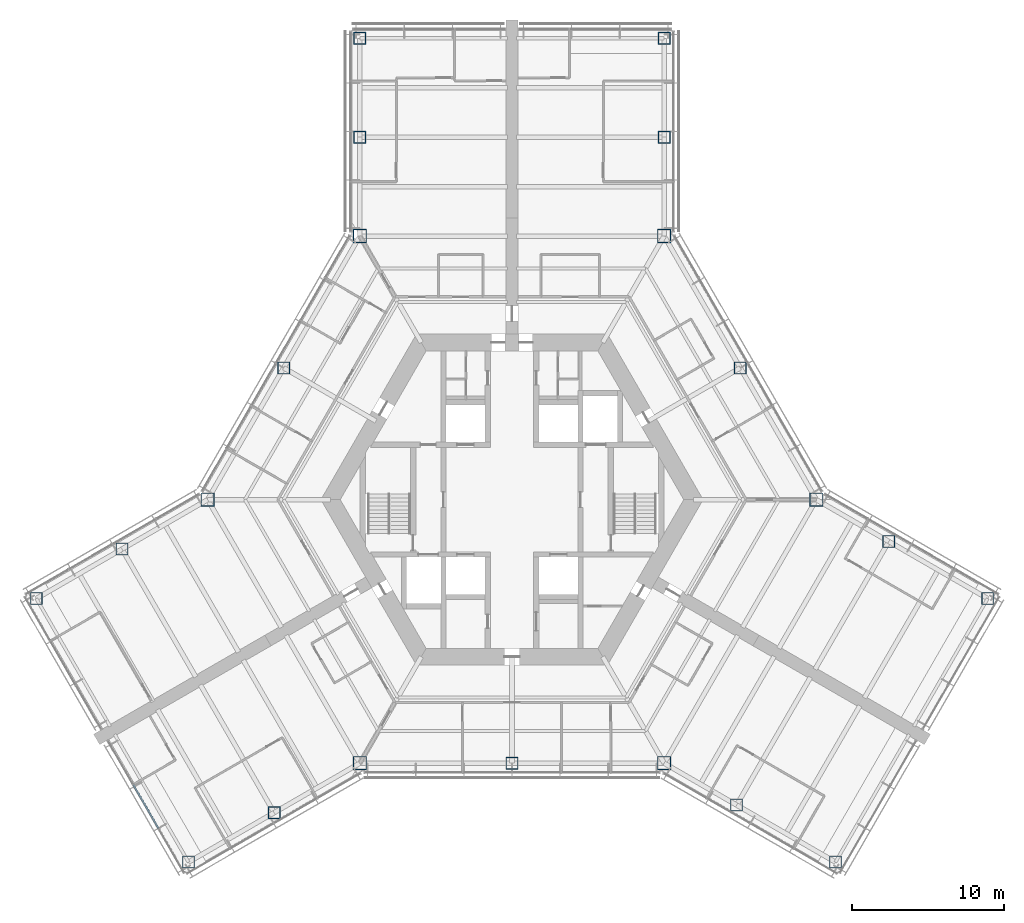
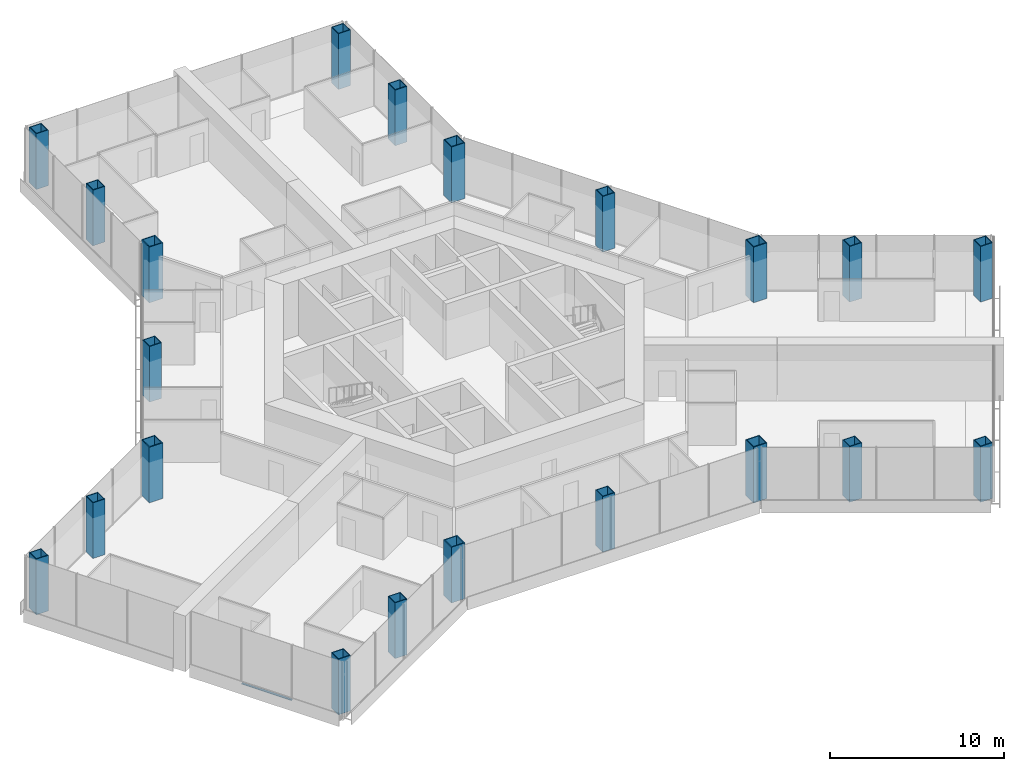
# One storey, part 1 of 19: 21 columns, 1 member, 1 element without a shape of its own.
"""IFC4 building model written with IfcOpenShell, lengths in metres."""

from ifc_helpers import new_model, si_unit, direction, frame, origin, origin_2d, place, context, subcontext, project, spatial, rectangle, hollow_rectangle, extrude, material, material_profile, profile_set, type_object, element, aggregate, save


model = new_model("IFC4")

# Units and contexts
model_context = context("Model", 3, precision=1e-05, world=origin(), true_north=direction((0.0, 1.0)))
body_context = subcontext(model_context, "Body", "Model", "MODEL_VIEW")
ifc_project = project(units=[si_unit("LENGTHUNIT", "METRE"), si_unit("AREAUNIT", "SQUARE_METRE"), si_unit("VOLUMEUNIT", "CUBIC_METRE"), si_unit("PLANEANGLEUNIT", "RADIAN"), si_unit("MASSUNIT", "GRAM", prefix="KILO")], contexts=[model_context])

# Site, building, storey
site_placement = place(None, origin())
site = spatial("IfcSite", under=ifc_project, at=site_placement, CompositionType="ELEMENT")
building_placement = place(site_placement, origin())
building = spatial("IfcBuilding", under=site, at=building_placement, Name="Kasaneha Research Tower", CompositionType="ELEMENT")
storey_placement = place(building_placement, frame((0.0, 0.0, 88.5)))
storey = spatial("IfcBuildingStorey", under=building, at=storey_placement, Name="L22", CompositionType="ELEMENT", Elevation=88.5)

# Columns
ifc_material_1 = material(Name="Steel SN490C", Category="steel")
ifc_material_profile_1 = material_profile(ifc_material_1, hollow_rectangle(XDim=0.89990234375, YDim=0.89990234375, WallThickness=0.054931640625, at=origin_2d()), Name="BOX-900x900x55")
ifc_profile_set_1 = profile_set([ifc_material_profile_1], Name="Steel SN490C")
column_type_1 = type_object("IfcColumnType", Name="C2A column BOX-900x900x55", PredefinedType="COLUMN", material=ifc_profile_set_1)
for number, where, z_axis, x_axis, name in (
    (1, (20.0, 0.0, 0.0), (0.0, 0.0, 1.0), (1.0, 0.0, 0.0), "Column V0 L22"),
    (2, (10.0, 17.320556640625, 0.0), (0.0, 0.0, 1.0), (1.0, 0.0, 0.0), "Column V1 L22"),
    (3, (-10.0, 17.320556640625, 0.0), (0.0, 0.0, 1.0), (1.0, 0.0, 0.0), "Column V2 L22"),
    (4, (-20.0, 0.0, 0.0), (0.0, 0.0, 1.0), (1.0, 0.0, 0.0), "Column V3 L22"),
    (5, (-10.0, -17.320556640625, 0.0), (0.0, 0.0, 1.0), (1.0, 0.0, 0.0), "Column V4 L22"),
    (6, (10.0, -17.320556640625, 0.0), (0.0, 0.0, 1.0), (1.0, 0.0, 0.0), "Column V5 L22"),
):
    element("IfcColumn", number, at=place(storey_placement, frame(where, z_axis=z_axis, x_axis=x_axis)), inside=storey, type_object=column_type_1, Name=name, PredefinedType="COLUMN", context=body_context, shape_type="SweptSolid", body=[
        extrude(hollow_rectangle(XDim=0.89990234375, YDim=0.89990234375, WallThickness=0.054931640625, at=origin_2d()), origin(), (0.0, 0.0, 1.0), 3.89990234375),
    ])
ifc_material_2 = material(Name="Steel SN490C", Category="steel")
ifc_material_profile_2 = material_profile(ifc_material_2, hollow_rectangle(XDim=0.800048828125, YDim=0.800048828125, WallThickness=0.044921875, at=origin_2d()), Name="BOX-800x800x45")
ifc_profile_set_2 = profile_set([ifc_material_profile_2], Name="Steel SN490C")
column_type_2 = type_object("IfcColumnType", Name="C2B column BOX-800x800x45", PredefinedType="COLUMN", material=ifc_profile_set_2)
for number, where, z_axis, x_axis, name in (
    (7, (15.0, 8.66015625, 0.0), (0.0, 0.0, 1.0), (1.0, 0.0, 0.0), "Column M030 L22"),
    (8, (-15.0, 8.66015625, 0.0), (0.0, 0.0, 1.0), (1.0, 0.0, 0.0), "Column M150 L22"),
    (9, (0.0, -17.320556640625, 0.0), (0.0, 0.0, 1.0), (1.0, 0.0, 0.0), "Column M270 L22"),
    (10, (10.0, 23.820556640625, 0.0), (0.0, 0.0, 1.0), (1.0, 0.0, 0.0), "Column ASP L22"),
    (11, (10.0, 30.320556640625, 0.0), (0.0, 0.0, 1.0), (1.0, 0.0, 0.0), "Column ATP L22"),
    (12, (-10.0, 23.820556640625, 0.0), (0.0, 0.0, 1.0), (1.0, 0.0, 0.0), "Column ASN L22"),
    (13, (-10.0, 30.320556640625, 0.0), (0.0, 0.0, 1.0), (1.0, 0.0, 0.0), "Column ATN L22"),
    (14, (-25.629150390625, -3.25, 0.0), (0.0, 0.0, 1.0), (1.0, 0.0, 0.0), "Column BSP L22"),
    (15, (-31.25830078125, -6.5, 0.0), (0.0, 0.0, 1.0), (1.0, 0.0, 0.0), "Column BTP L22"),
    (16, (-15.629150390625, -20.570556640625, 0.0), (0.0, 0.0, 1.0), (1.0, 0.0, 0.0), "Column BSN L22"),
    (17, (-21.25830078125, -23.820556640625, 0.0), (0.0, 0.0, 1.0), (1.0, 0.0, 0.0), "Column BTN L22"),
    (18, (14.76318359375, -20.070556640625, 0.0), (0.0, 0.0, 1.0), (1.0, 0.0, 0.0), "Column CSP L22"),
    (19, (21.25830078125, -23.820556640625, 0.0), (0.0, 0.0, 1.0), (1.0, 0.0, 0.0), "Column CTP L22"),
    (20, (24.76318359375, -2.75, 0.0), (0.0, 0.0, 1.0), (1.0, 0.0, 0.0), "Column CSN L22"),
    (21, (31.25830078125, -6.5, 0.0), (0.0, 0.0, 1.0), (1.0, 0.0, 0.0), "Column CTN L22"),
):
    element("IfcColumn", number, at=place(storey_placement, frame(where, z_axis=z_axis, x_axis=x_axis)), inside=storey, type_object=column_type_2, Name=name, PredefinedType="COLUMN", context=body_context, shape_type="SweptSolid", body=[
        extrude(hollow_rectangle(XDim=0.800048828125, YDim=0.800048828125, WallThickness=0.044921875, at=origin_2d()), origin(), (0.0, 0.0, 1.0), 3.89990234375),
    ])

# Curtain wall, member
ifc_material_3 = material(Name="Glass and aluminium", Category="aluminium")
curtain_wall_type = type_object("IfcCurtainWallType", Name="Low-rise office curtain wall", PredefinedType="USERDEFINED", material=ifc_material_3)
curtain_wall_placement = place(storey_placement, origin())
curtain_wall = element("IfcCurtainWall", 22, at=curtain_wall_placement, inside=storey, type_object=curtain_wall_type, Name="CW-O1 L22 run 15a", ObjectType="UNITISED CURTAIN WALL", PredefinedType="USERDEFINED")
ifc_material_4 = material(Name="Aluminium 6063-T6", Category="aluminium")
ifc_material_profile_3 = material_profile(ifc_material_4, rectangle(XDim=0.1201171875, YDim=0.06005859375, at=origin_2d()), Name="CW-O1 transom 120x60")
ifc_profile_set_3 = profile_set([ifc_material_profile_3], Name="Aluminium 6063-T6")
member_type = type_object("IfcMemberType", Name="CW-O1 transom", PredefinedType="USERDEFINED", material=ifc_profile_set_3)
member_placement = place(storey_placement, frame((-24.879638671875, -18.748291015625, 0.030029296875), z_axis=(0.500014325468, -0.866017132814, 0.0), x_axis=(0.866017132814, 0.500014325468, 0.0)))
member = element("IfcMember", 23, at=member_placement, type_object=member_type, Name="CW-O1 transom 2", ObjectType="TRANSOM", PredefinedType="USERDEFINED", context=body_context, shape_type="SweptSolid", body=[
    extrude(rectangle(XDim=0.1201171875, YDim=0.06005859375, at=origin_2d()), origin(), (0.0, 0.0, 1.0), 3.306640625),
])
aggregate(curtain_wall, [member])

save(model, "model.ifc")
